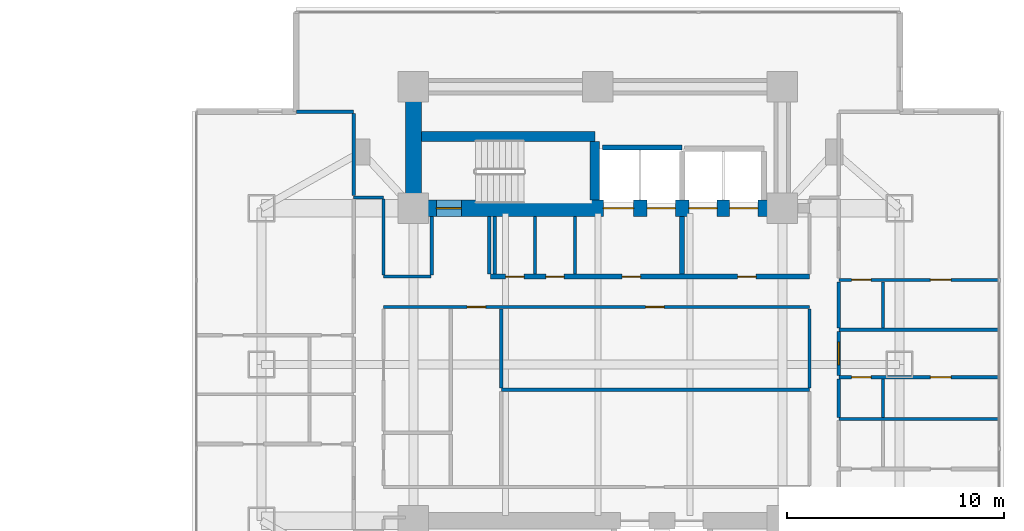
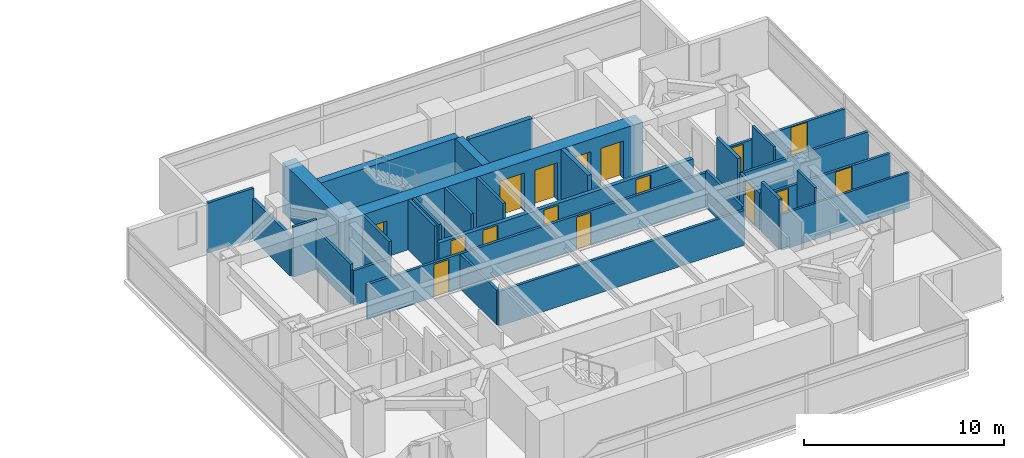
# One storey, part 18 of 25: 30 walls, 16 doors, 16 openings.
"""IFC4 building model written with IfcOpenShell, lengths in metres."""

from ifc_helpers import new_model, si_unit, direction, frame, frame_2d, origin, place, context, subcontext, project, spatial, rectangle, extrude, material, layer, layer_set, type_object, element, fill, save


model = new_model("IFC4")

# Units and contexts
model_context = context("Model", 3, precision=1e-05, world=origin(), true_north=direction((0.0, 1.0)))
body_context = subcontext(model_context, "Body", "Model", "MODEL_VIEW")
ifc_project = project(units=[si_unit("LENGTHUNIT", "METRE"), si_unit("AREAUNIT", "SQUARE_METRE"), si_unit("VOLUMEUNIT", "CUBIC_METRE"), si_unit("PLANEANGLEUNIT", "RADIAN"), si_unit("MASSUNIT", "GRAM", prefix="KILO")], contexts=[model_context])

# Site, building, storey
site_placement = place(None, origin())
site = spatial("IfcSite", under=ifc_project, at=site_placement, CompositionType="ELEMENT")
building_placement = place(site_placement, origin())
building = spatial("IfcBuilding", under=site, at=building_placement, Name="Mirazonda Arch Towers", CompositionType="ELEMENT")
storey_placement = place(building_placement, frame((0.0, 0.0, 32.300048828125)))
storey = spatial("IfcBuildingStorey", under=building, at=storey_placement, Name="L08", CompositionType="ELEMENT", Elevation=32.300048828125)

# Walls
ifc_material_1 = material(Name="Concrete C50/60", Category="concrete")
ifc_layer_1 = layer(ifc_material_1, 0.449951171875, Name="WALL-CORE-450")
ifc_layer_set_1 = layer_set([ifc_layer_1], Name="Concrete C50/60")
wall_type_1 = type_object("IfcWallType", Name="WALL-CORE-450", PredefinedType="SHEAR", material=ifc_layer_set_1)
wall_1_placement = place(storey_placement, frame((68.3701171875, 38.5, 0.0), z_axis=(0.0, 0.0, 1.0), x_axis=(1.0, 0.0, 0.0)))
element("IfcWall", 1, at=wall_1_placement, inside=storey, type_object=wall_type_1, Name="L08 Stair Core Shear Wall 054", PredefinedType="SHEAR", context=body_context, shape_type="SweptSolid", body=[
    extrude(rectangle(XDim=7.989990234375, YDim=0.449951171875, at=frame_2d((3.9951171875, 0.0))), origin(), (0.0, 0.0, 1.0), 3.06005859375),
])
wall_2_placement = place(storey_placement, frame((76.360107421875, 35.570068359375, 0.0), z_axis=(0.0, 0.0, 1.0), x_axis=(0.0, 1.0, 0.0)))
element("IfcWall", 2, at=wall_2_placement, inside=storey, type_object=wall_type_1, Name="L08 Stair Core Shear Wall 139", PredefinedType="SHEAR", context=body_context, shape_type="SweptSolid", body=[
    extrude(rectangle(XDim=2.69482421875, YDim=0.449951171875, at=frame_2d((1.347412109375, 0.0))), origin(), (0.0, 0.0, 1.0), 3.06005859375),
])
ifc_material_2 = material(Name="Concrete C60/75", Category="concrete")
ifc_layer_2 = layer(ifc_material_2, 0.75, Name="WALL-CORE-750")
ifc_layer_set_2 = layer_set([ifc_layer_2], Name="Concrete C60/75")
wall_type_2 = type_object("IfcWallType", Name="WALL-CORE-750", PredefinedType="SHEAR", material=ifc_layer_set_2)
wall_3_placement = place(storey_placement, frame((68.0, 35.199951171875, 0.0), z_axis=(0.0, 0.0, 1.0), x_axis=(0.0, 1.0, 0.0)))
element("IfcWall", 3, at=wall_3_placement, inside=storey, type_object=wall_type_2, Name="L08 T2N-W Core Shear Wall", PredefinedType="SHEAR", context=body_context, shape_type="SweptSolid", body=[
    extrude(rectangle(XDim=5.60009765625, YDim=0.75, at=frame_2d((2.800048828125, 0.0))), origin(), (0.0, 0.0, 1.0), 3.06005859375),
])

# Wall, openings, doors
wall_4_placement = place(storey_placement, frame((68.0, 35.199951171875, 0.0), z_axis=(0.0, 0.0, 1.0), x_axis=(1.0, 0.0, 0.0)))
wall_4 = element("IfcWall", 4, at=wall_4_placement, inside=storey, type_object=wall_type_2, Name="L08 T2N-S Core Shear Wall", PredefinedType="SHEAR", context=body_context, shape_type="SweptSolid", body=[
    extrude(rectangle(XDim=17.0, YDim=0.75, at=frame_2d((8.5, 0.0))), origin(), (0.0, 0.0, 1.0), 3.06005859375),
])
opening_1_placement = place(wall_4_placement, frame((1.06005859375, 0.0, 0.0)))
opening_1 = element("IfcOpeningElement", 5, at=opening_1_placement, cuts=wall_4, Name="Opening DR-135", PredefinedType="OPENING", context=body_context, shape_type="SweptSolid", body=[
    extrude(rectangle(XDim=1.14990234375, YDim=2.199951171875, at=frame_2d((0.574951171875, 1.10009765625))), frame((0.0, 0.385009765625, 0.0), z_axis=(0.0, -1.0, 0.0), x_axis=(1.0, 0.0, 0.0)), (0.0, 0.0, 1.0), 0.77001953125),
])
opening_2_placement = place(wall_4_placement, frame((8.75, 0.0, 0.0)))
opening_2 = element("IfcOpeningElement", 6, at=opening_2_placement, cuts=wall_4, Name="Opening LD-112", PredefinedType="OPENING", context=body_context, shape_type="SweptSolid", body=[
    extrude(rectangle(XDim=1.39990234375, YDim=2.35009765625, at=frame_2d((0.699951171875, 1.175048828125))), frame((0.0, 0.385009765625, 0.0), z_axis=(0.0, -1.0, 0.0), x_axis=(1.0, 0.0, 0.0)), (0.0, 0.0, 1.0), 0.77001953125),
])
opening_3_placement = place(wall_4_placement, frame((10.77001953125, 0.0, 0.0)))
opening_3 = element("IfcOpeningElement", 7, at=opening_3_placement, cuts=wall_4, Name="Opening LD-111", PredefinedType="OPENING", context=body_context, shape_type="SweptSolid", body=[
    extrude(rectangle(XDim=1.300048828125, YDim=2.300048828125, at=frame_2d((0.64990234375, 1.14990234375))), frame((0.0, 0.385009765625, 0.0), z_axis=(0.0, -1.0, 0.0), x_axis=(1.0, 0.0, 0.0)), (0.0, 0.0, 1.0), 0.77001953125),
])
opening_4_placement = place(wall_4_placement, frame((12.68994140625, 0.0, 0.0)))
opening_4 = element("IfcOpeningElement", 8, at=opening_4_placement, cuts=wall_4, Name="Opening LD-111", PredefinedType="OPENING", context=body_context, shape_type="SweptSolid", body=[
    extrude(rectangle(XDim=1.300048828125, YDim=2.300048828125, at=frame_2d((0.64990234375, 1.14990234375))), frame((0.0, 0.385009765625, 0.0), z_axis=(0.0, -1.0, 0.0), x_axis=(1.0, 0.0, 0.0)), (0.0, 0.0, 1.0), 0.77001953125),
])
opening_5_placement = place(wall_4_placement, frame((14.570068359375, 0.0, 0.0)))
opening_5 = element("IfcOpeningElement", 9, at=opening_5_placement, cuts=wall_4, Name="Opening LD-111", PredefinedType="OPENING", context=body_context, shape_type="SweptSolid", body=[
    extrude(rectangle(XDim=1.300048828125, YDim=2.300048828125, at=frame_2d((0.64990234375, 1.14990234375))), frame((0.0, 0.385009765625, 0.0), z_axis=(0.0, -1.0, 0.0), x_axis=(1.0, 0.0, 0.0)), (0.0, 0.0, 1.0), 0.77001953125),
])
ifc_material_3 = material(Name="Architectural Brushed Steel S355", Category="steel")
door_type_1 = type_object("IfcDoorType", Name="DOOR-LIFT-FFL-1400", OperationType="NOTDEFINED", PredefinedType="DOOR", material=ifc_material_3)
door_1_placement = place(opening_2_placement, origin())
door_1 = element("IfcDoor", 10, at=door_1_placement, inside=storey, type_object=door_type_1, Name="L08 Lift Landing Sliding Door FFL-T2", OperationType="DOUBLE_DOOR_SLIDING", OverallHeight=2.35009765625, OverallWidth=1.39990234375, PredefinedType="DOOR", context=body_context, shape_type="SweptSolid", body=[
    extrude(rectangle(XDim=1.39990234375, YDim=2.35009765625, at=frame_2d((0.699951171875, 1.175048828125))), frame((0.0, 0.02490234375, 0.0), z_axis=(0.0, -1.0, 0.0), x_axis=(1.0, 0.0, 0.0)), (0.0, 0.0, 1.0), 0.050048828125),
])
fill(opening_2, door_1)
door_type_2 = type_object("IfcDoorType", Name="DOOR-LIFT-LAND-1300", OperationType="NOTDEFINED", PredefinedType="DOOR", material=ifc_material_3)
door_2_placement = place(opening_3_placement, origin())
door_2 = element("IfcDoor", 11, at=door_2_placement, inside=storey, type_object=door_type_2, Name="L08 Lift Landing Sliding Door SVL-T2", OperationType="DOUBLE_DOOR_SLIDING", OverallHeight=2.300048828125, OverallWidth=1.300048828125, PredefinedType="DOOR", context=body_context, shape_type="SweptSolid", body=[
    extrude(rectangle(XDim=1.300048828125, YDim=2.300048828125, at=frame_2d((0.64990234375, 1.14990234375))), frame((0.0, 0.02490234375, 0.0), z_axis=(0.0, -1.0, 0.0), x_axis=(1.0, 0.0, 0.0)), (0.0, 0.0, 1.0), 0.050048828125),
])
fill(opening_3, door_2)
door_3_placement = place(opening_4_placement, origin())
door_3 = element("IfcDoor", 12, at=door_3_placement, inside=storey, type_object=door_type_2, Name="L08 Lift Landing Sliding Door PL-T2L1", OperationType="DOUBLE_DOOR_SLIDING", OverallHeight=2.300048828125, OverallWidth=1.300048828125, PredefinedType="DOOR", context=body_context, shape_type="SweptSolid", body=[
    extrude(rectangle(XDim=1.300048828125, YDim=2.300048828125, at=frame_2d((0.64990234375, 1.14990234375))), frame((0.0, 0.02490234375, 0.0), z_axis=(0.0, -1.0, 0.0), x_axis=(1.0, 0.0, 0.0)), (0.0, 0.0, 1.0), 0.050048828125),
])
fill(opening_4, door_3)
door_4_placement = place(opening_5_placement, origin())
door_4 = element("IfcDoor", 13, at=door_4_placement, inside=storey, type_object=door_type_2, Name="L08 Lift Landing Sliding Door PL-T2L2", OperationType="DOUBLE_DOOR_SLIDING", OverallHeight=2.300048828125, OverallWidth=1.300048828125, PredefinedType="DOOR", context=body_context, shape_type="SweptSolid", body=[
    extrude(rectangle(XDim=1.300048828125, YDim=2.300048828125, at=frame_2d((0.64990234375, 1.14990234375))), frame((0.0, 0.02490234375, 0.0), z_axis=(0.0, -1.0, 0.0), x_axis=(1.0, 0.0, 0.0)), (0.0, 0.0, 1.0), 0.050048828125),
])
fill(opening_5, door_4)
door_type_3 = type_object("IfcDoorType", Name="DOOR-STAIR-FD90-1150", OperationType="NOTDEFINED", PredefinedType="DOOR", material=ifc_material_3)
door_5_placement = place(opening_1_placement, origin())
door_5 = element("IfcDoor", 14, at=door_5_placement, inside=storey, type_object=door_type_3, Name="L08 East Protected Stair North Door", OperationType="SINGLE_SWING_LEFT", OverallHeight=2.199951171875, OverallWidth=1.14990234375, PredefinedType="DOOR", context=body_context, shape_type="SweptSolid", body=[
    extrude(rectangle(XDim=1.14990234375, YDim=2.199951171875, at=frame_2d((0.574951171875, 1.10009765625))), frame((0.0, 0.02490234375, 0.0), z_axis=(0.0, -1.0, 0.0), x_axis=(1.0, 0.0, 0.0)), (0.0, 0.0, 1.0), 0.050048828125),
])
fill(opening_1, door_5)

ifc_material_4 = material(Name="Concrete C40/50", Category="concrete")
ifc_layer_3 = layer(ifc_material_4, 0.219970703125, Name="WALL-FFL-220")
ifc_layer_set_3 = layer_set([ifc_layer_3], Name="Concrete C40/50")
wall_type_3 = type_object("IfcWallType", Name="WALL-FFL-220", PredefinedType="SOLIDWALL", material=ifc_layer_set_3)
wall_5_placement = place(storey_placement, frame((71.550048828125, 32.050048828125, 0.0), z_axis=(0.0, 0.0, 1.0), x_axis=(1.0, 0.0, 0.0)))
wall_5 = element("IfcWall", 15, at=wall_5_placement, inside=storey, type_object=wall_type_3, Name="L08 Interior Partition 043", PredefinedType="SOLIDWALL", context=body_context, shape_type="SweptSolid", body=[
    extrude(rectangle(XDim=14.699951171875, YDim=0.219970703125, at=frame_2d((7.35009765625, 0.0))), origin(), (0.0, 0.0, 1.0), 2.125),
])
opening_6_placement = place(wall_5_placement, frame((11.389892578125, 0.0, 0.0)))
opening_6 = element("IfcOpeningElement", 16, at=opening_6_placement, cuts=wall_5, Name="Opening DR-128", PredefinedType="OPENING", context=body_context, shape_type="SweptSolid", body=[
    extrude(rectangle(XDim=0.85009765625, YDim=2.010009765625, at=frame_2d((0.425048828125, 1.0048828125))), frame((0.0, 0.119873046875, 0.0), z_axis=(0.0, -1.0, 0.0), x_axis=(1.0, 0.0, 0.0)), (0.0, 0.0, 1.0), 0.239990234375),
])
opening_7_placement = place(wall_5_placement, frame((6.06494140625, 0.0, 0.0)))
opening_7 = element("IfcOpeningElement", 17, at=opening_7_placement, cuts=wall_5, Name="Opening DR-128", PredefinedType="OPENING", context=body_context, shape_type="SweptSolid", body=[
    extrude(rectangle(XDim=0.85009765625, YDim=2.010009765625, at=frame_2d((0.425048828125, 1.0048828125))), frame((0.0, 0.119873046875, 0.0), z_axis=(0.0, -1.0, 0.0), x_axis=(1.0, 0.0, 0.0)), (0.0, 0.0, 1.0), 0.239990234375),
])
opening_8_placement = place(wall_5_placement, frame((0.699951171875, 0.0, 0.0)))
opening_8 = element("IfcOpeningElement", 18, at=opening_8_placement, cuts=wall_5, Name="Opening DR-128", PredefinedType="OPENING", context=body_context, shape_type="SweptSolid", body=[
    extrude(rectangle(XDim=0.85009765625, YDim=2.010009765625, at=frame_2d((0.425048828125, 1.0048828125))), frame((0.0, 0.119873046875, 0.0), z_axis=(0.0, -1.0, 0.0), x_axis=(1.0, 0.0, 0.0)), (0.0, 0.0, 1.0), 0.239990234375),
])
opening_9_placement = place(wall_5_placement, frame((2.550048828125, 0.0, 0.0)))
opening_9 = element("IfcOpeningElement", 19, at=opening_9_placement, cuts=wall_5, Name="Opening DR-128", PredefinedType="OPENING", context=body_context, shape_type="SweptSolid", body=[
    extrude(rectangle(XDim=0.85009765625, YDim=2.010009765625, at=frame_2d((0.425048828125, 1.0048828125))), frame((0.0, 0.119873046875, 0.0), z_axis=(0.0, -1.0, 0.0), x_axis=(1.0, 0.0, 0.0)), (0.0, 0.0, 1.0), 0.239990234375),
])
door_type_4 = type_object("IfcDoorType", Name="DOOR-RISER-FD60-850", OperationType="NOTDEFINED", PredefinedType="DOOR", material=ifc_material_3)
door_6_placement = place(opening_6_placement, origin())
door_6 = element("IfcDoor", 20, at=door_6_placement, inside=storey, type_object=door_type_4, Name="L08 East Passenger Lift Lobby Door", OperationType="SINGLE_SWING_RIGHT", OverallHeight=2.010009765625, OverallWidth=0.85009765625, PredefinedType="DOOR", context=body_context, shape_type="SweptSolid", body=[
    extrude(rectangle(XDim=0.85009765625, YDim=2.010009765625, at=frame_2d((0.425048828125, 1.0048828125))), frame((0.0, 0.02490234375, 0.0), z_axis=(0.0, -1.0, 0.0), x_axis=(1.0, 0.0, 0.0)), (0.0, 0.0, 1.0), 0.050048828125),
])
fill(opening_6, door_6)
door_7_placement = place(opening_7_placement, origin())
door_7 = element("IfcDoor", 21, at=door_7_placement, inside=storey, type_object=door_type_4, Name="L08 East Firefighting Lift Lobby Door", OperationType="SINGLE_SWING_RIGHT", OverallHeight=2.010009765625, OverallWidth=0.85009765625, PredefinedType="DOOR", context=body_context, shape_type="SweptSolid", body=[
    extrude(rectangle(XDim=0.85009765625, YDim=2.010009765625, at=frame_2d((0.425048828125, 1.0048828125))), frame((0.0, 0.02490234375, 0.0), z_axis=(0.0, -1.0, 0.0), x_axis=(1.0, 0.0, 0.0)), (0.0, 0.0, 1.0), 0.050048828125),
])
fill(opening_7, door_7)
door_8_placement = place(opening_8_placement, origin())
door_8 = element("IfcDoor", 22, at=door_8_placement, inside=storey, type_object=door_type_4, Name="L08 Tower 2 Electrical Room Door", OperationType="SINGLE_SWING_LEFT", OverallHeight=2.010009765625, OverallWidth=0.85009765625, PredefinedType="DOOR", context=body_context, shape_type="SweptSolid", body=[
    extrude(rectangle(XDim=0.85009765625, YDim=2.010009765625, at=frame_2d((0.425048828125, 1.0048828125))), frame((0.0, 0.02490234375, 0.0), z_axis=(0.0, -1.0, 0.0), x_axis=(1.0, 0.0, 0.0)), (0.0, 0.0, 1.0), 0.050048828125),
])
fill(opening_8, door_8)
door_9_placement = place(opening_9_placement, origin())
door_9 = element("IfcDoor", 23, at=door_9_placement, inside=storey, type_object=door_type_4, Name="L08 Tower 2 Cleaners Store Door", OperationType="SINGLE_SWING_RIGHT", OverallHeight=2.010009765625, OverallWidth=0.85009765625, PredefinedType="DOOR", context=body_context, shape_type="SweptSolid", body=[
    extrude(rectangle(XDim=0.85009765625, YDim=2.010009765625, at=frame_2d((0.425048828125, 1.0048828125))), frame((0.0, 0.02490234375, 0.0), z_axis=(0.0, -1.0, 0.0), x_axis=(1.0, 0.0, 0.0)), (0.0, 0.0, 1.0), 0.050048828125),
])
fill(opening_9, door_9)

# Walls
wall_6_placement = place(storey_placement, frame((80.3798828125, 32.169921875, 0.0), z_axis=(0.0, 0.0, 1.0), x_axis=(0.0, 1.0, 0.0)))
element("IfcWall", 24, at=wall_6_placement, inside=storey, type_object=wall_type_3, Name="L08 Interior Partition 141", PredefinedType="SOLIDWALL", context=body_context, shape_type="SweptSolid", body=[
    extrude(rectangle(XDim=2.66015625, YDim=0.219970703125, at=frame_2d((1.330078125, 0.0))), origin(), (0.0, 0.0, 1.0), 3.06005859375),
])
ifc_material_5 = material(Name="Fire-Rated Gypsum Stud Partition")
ifc_layer_4 = layer(ifc_material_5, 0.14990234375, Name="WALL-PART-CORR-150")
ifc_layer_set_4 = layer_set([ifc_layer_4], Name="Fire-Rated Gypsum Stud Partition")
wall_type_4 = type_object("IfcWallType", Name="WALL-PART-CORR-150", PredefinedType="PARTITIONING", material=ifc_layer_set_4)
wall_7_placement = place(storey_placement, frame((72.050048828125, 26.83203125, 0.0), z_axis=(0.0, 0.0, 1.0), x_axis=(1.0, 0.0, 0.0)))
element("IfcWall", 25, at=wall_7_placement, inside=storey, type_object=wall_type_4, Name="L08 Interior Partition 031", PredefinedType="PARTITIONING", context=body_context, shape_type="SweptSolid", body=[
    extrude(rectangle(XDim=14.199951171875, YDim=0.14990234375, at=frame_2d((7.10009765625, 0.0))), origin(), (0.0, 0.0, 1.0), 2.125),
])

# Wall, openings, doors
wall_8_placement = place(storey_placement, frame((87.60009765625, 27.412109375, 0.0), z_axis=(0.0, 0.0, 1.0), x_axis=(1.0, 0.0, 0.0)))
wall_8 = element("IfcWall", 26, at=wall_8_placement, inside=storey, type_object=wall_type_4, Name="L08 Interior Partition 033", PredefinedType="PARTITIONING", context=body_context, shape_type="SweptSolid", body=[
    extrude(rectangle(XDim=7.393798828125, YDim=0.14990234375, at=frame_2d((3.69677734375, 0.0))), origin(), (0.0, 0.0, 1.0), 2.196044921875),
])
opening_10_placement = place(wall_8_placement, frame((4.221923828125, 0.0, 0.0)))
opening_10 = element("IfcOpeningElement", 27, at=opening_10_placement, cuts=wall_8, Name="Opening DR-104", PredefinedType="OPENING", context=body_context, shape_type="SweptSolid", body=[
    extrude(rectangle(XDim=0.949951171875, YDim=2.14990234375, at=frame_2d((0.47509765625, 1.074951171875))), frame((0.0, 0.0849609375, 0.0), z_axis=(0.0, -1.0, 0.0), x_axis=(1.0, 0.0, 0.0)), (0.0, 0.0, 1.0), 0.169921875),
])
opening_11_placement = place(wall_8_placement, frame((0.590087890625, 0.0, 0.0)))
opening_11 = element("IfcOpeningElement", 28, at=opening_11_placement, cuts=wall_8, Name="Opening DR-120", PredefinedType="OPENING", context=body_context, shape_type="SweptSolid", body=[
    extrude(rectangle(XDim=0.89990234375, YDim=2.10009765625, at=frame_2d((0.449951171875, 1.050048828125))), frame((0.0, 0.0849609375, 0.0), z_axis=(0.0, -1.0, 0.0), x_axis=(1.0, 0.0, 0.0)), (0.0, 0.0, 1.0), 0.169921875),
])
door_type_5 = type_object("IfcDoorType", Name="DOOR-ROOM-950", OperationType="NOTDEFINED", PredefinedType="DOOR", material=ifc_material_3)
door_10_placement = place(opening_10_placement, origin())
door_10 = element("IfcDoor", 29, at=door_10_placement, inside=storey, type_object=door_type_5, Name="L08 Guestroom Study 2 Door", OperationType="SINGLE_SWING_LEFT", OverallHeight=2.14990234375, OverallWidth=0.949951171875, PredefinedType="DOOR", context=body_context, shape_type="SweptSolid", body=[
    extrude(rectangle(XDim=0.949951171875, YDim=2.14990234375, at=frame_2d((0.47509765625, 1.074951171875))), frame((0.0, 0.02490234375, 0.0), z_axis=(0.0, -1.0, 0.0), x_axis=(1.0, 0.0, 0.0)), (0.0, 0.0, 1.0), 0.050048828125),
])
fill(opening_10, door_10)
door_type_6 = type_object("IfcDoorType", Name="DOOR-WC-900", OperationType="NOTDEFINED", PredefinedType="DOOR", material=ifc_material_3)
door_11_placement = place(opening_11_placement, origin())
door_11 = element("IfcDoor", 30, at=door_11_placement, inside=storey, type_object=door_type_6, Name="L08 En-Suite Bathroom 2 Door", OperationType="SINGLE_SWING_RIGHT", OverallHeight=2.10009765625, OverallWidth=0.89990234375, PredefinedType="DOOR", context=body_context, shape_type="SweptSolid", body=[
    extrude(rectangle(XDim=0.89990234375, YDim=2.10009765625, at=frame_2d((0.449951171875, 1.050048828125))), frame((0.0, 0.02490234375, 0.0), z_axis=(0.0, -1.0, 0.0), x_axis=(1.0, 0.0, 0.0)), (0.0, 0.0, 1.0), 0.050048828125),
])
fill(opening_11, door_11)

# Wall
wall_9_placement = place(storey_placement, frame((87.60009765625, 29.595947265625, 0.0), z_axis=(0.0, 0.0, 1.0), x_axis=(1.0, 0.0, 0.0)))
element("IfcWall", 31, at=wall_9_placement, inside=storey, type_object=wall_type_4, Name="L08 Interior Partition 037", PredefinedType="PARTITIONING", context=body_context, shape_type="SweptSolid", body=[
    extrude(rectangle(XDim=7.393798828125, YDim=0.14990234375, at=frame_2d((3.69677734375, 0.0))), origin(), (0.0, 0.0, 1.0), 2.196044921875),
])

# Wall, openings, doors
wall_10_placement = place(storey_placement, frame((66.6201171875, 30.64990234375, 0.0), z_axis=(0.0, 0.0, 1.0), x_axis=(1.0, 0.0, 0.0)))
wall_10 = element("IfcWall", 32, at=wall_10_placement, inside=storey, type_object=wall_type_4, Name="L08 Interior Partition 039", PredefinedType="PARTITIONING", context=body_context, shape_type="SweptSolid", body=[
    extrude(rectangle(XDim=19.6298828125, YDim=0.14990234375, at=frame_2d((9.81494140625, 0.0))), origin(), (0.0, 0.0, 1.0), 2.125),
])
opening_12_placement = place(wall_10_placement, frame((3.85498046875, 0.0, 0.0)))
opening_12 = element("IfcOpeningElement", 33, at=opening_12_placement, cuts=wall_10, Name="Opening DR-128", PredefinedType="OPENING", context=body_context, shape_type="SweptSolid", body=[
    extrude(rectangle(XDim=0.85009765625, YDim=2.010009765625, at=frame_2d((0.425048828125, 1.0048828125))), frame((0.0, 0.0849609375, 0.0), z_axis=(0.0, -1.0, 0.0), x_axis=(1.0, 0.0, 0.0)), (0.0, 0.0, 1.0), 0.169921875),
])
opening_13_placement = place(wall_10_placement, frame((12.0849609375, 0.0, 0.0)))
opening_13 = element("IfcOpeningElement", 34, at=opening_13_placement, cuts=wall_10, Name="Opening DR-128", PredefinedType="OPENING", context=body_context, shape_type="SweptSolid", body=[
    extrude(rectangle(XDim=0.85009765625, YDim=2.010009765625, at=frame_2d((0.425048828125, 1.0048828125))), frame((0.0, 0.0849609375, 0.0), z_axis=(0.0, -1.0, 0.0), x_axis=(1.0, 0.0, 0.0)), (0.0, 0.0, 1.0), 0.169921875),
])
door_12_placement = place(opening_12_placement, origin())
door_12 = element("IfcDoor", 35, at=door_12_placement, inside=storey, type_object=door_type_4, Name="L08 L08 East Courtyard Study Door", OperationType="SINGLE_SWING_LEFT", OverallHeight=2.010009765625, OverallWidth=0.85009765625, PredefinedType="DOOR", context=body_context, shape_type="SweptSolid", body=[
    extrude(rectangle(XDim=0.85009765625, YDim=2.010009765625, at=frame_2d((0.425048828125, 1.0048828125))), frame((0.0, 0.02490234375, 0.0), z_axis=(0.0, -1.0, 0.0), x_axis=(1.0, 0.0, 0.0)), (0.0, 0.0, 1.0), 0.050048828125),
])
fill(opening_12, door_12)
door_13_placement = place(opening_13_placement, origin())
door_13 = element("IfcDoor", 36, at=door_13_placement, inside=storey, type_object=door_type_4, Name="L08 Concierge Salon Door", OperationType="SINGLE_SWING_LEFT", OverallHeight=2.010009765625, OverallWidth=0.85009765625, PredefinedType="DOOR", context=body_context, shape_type="SweptSolid", body=[
    extrude(rectangle(XDim=0.85009765625, YDim=2.010009765625, at=frame_2d((0.425048828125, 1.0048828125))), frame((0.0, 0.02490234375, 0.0), z_axis=(0.0, -1.0, 0.0), x_axis=(1.0, 0.0, 0.0)), (0.0, 0.0, 1.0), 0.050048828125),
])
fill(opening_13, door_13)

wall_11_placement = place(storey_placement, frame((87.60009765625, 31.89599609375, 0.0), z_axis=(0.0, 0.0, 1.0), x_axis=(1.0, 0.0, 0.0)))
wall_11 = element("IfcWall", 37, at=wall_11_placement, inside=storey, type_object=wall_type_4, Name="L08 Interior Partition 041", PredefinedType="PARTITIONING", context=body_context, shape_type="SweptSolid", body=[
    extrude(rectangle(XDim=7.393798828125, YDim=0.14990234375, at=frame_2d((3.69677734375, 0.0))), origin(), (0.0, 0.0, 1.0), 2.196044921875),
])
opening_14_placement = place(wall_11_placement, frame((4.221923828125, 0.0, 0.0)))
opening_14 = element("IfcOpeningElement", 38, at=opening_14_placement, cuts=wall_11, Name="Opening DR-104", PredefinedType="OPENING", context=body_context, shape_type="SweptSolid", body=[
    extrude(rectangle(XDim=0.949951171875, YDim=2.14990234375, at=frame_2d((0.47509765625, 1.074951171875))), frame((0.0, 0.0849609375, 0.0), z_axis=(0.0, -1.0, 0.0), x_axis=(1.0, 0.0, 0.0)), (0.0, 0.0, 1.0), 0.169921875),
])
opening_15_placement = place(wall_11_placement, frame((0.590087890625, 0.0, 0.0)))
opening_15 = element("IfcOpeningElement", 39, at=opening_15_placement, cuts=wall_11, Name="Opening DR-120", PredefinedType="OPENING", context=body_context, shape_type="SweptSolid", body=[
    extrude(rectangle(XDim=0.89990234375, YDim=2.10009765625, at=frame_2d((0.449951171875, 1.050048828125))), frame((0.0, 0.0849609375, 0.0), z_axis=(0.0, -1.0, 0.0), x_axis=(1.0, 0.0, 0.0)), (0.0, 0.0, 1.0), 0.169921875),
])
door_14_placement = place(opening_14_placement, origin())
door_14 = element("IfcDoor", 40, at=door_14_placement, inside=storey, type_object=door_type_5, Name="L08 Guestroom Study 3 Door", OperationType="SINGLE_SWING_RIGHT", OverallHeight=2.14990234375, OverallWidth=0.949951171875, PredefinedType="DOOR", context=body_context, shape_type="SweptSolid", body=[
    extrude(rectangle(XDim=0.949951171875, YDim=2.14990234375, at=frame_2d((0.47509765625, 1.074951171875))), frame((0.0, 0.02490234375, 0.0), z_axis=(0.0, -1.0, 0.0), x_axis=(1.0, 0.0, 0.0)), (0.0, 0.0, 1.0), 0.050048828125),
])
fill(opening_14, door_14)
door_15_placement = place(opening_15_placement, origin())
door_15 = element("IfcDoor", 41, at=door_15_placement, inside=storey, type_object=door_type_6, Name="L08 En-Suite Bathroom 3 Door", OperationType="SINGLE_SWING_LEFT", OverallHeight=2.10009765625, OverallWidth=0.89990234375, PredefinedType="DOOR", context=body_context, shape_type="SweptSolid", body=[
    extrude(rectangle(XDim=0.89990234375, YDim=2.10009765625, at=frame_2d((0.449951171875, 1.050048828125))), frame((0.0, 0.02490234375, 0.0), z_axis=(0.0, -1.0, 0.0), x_axis=(1.0, 0.0, 0.0)), (0.0, 0.0, 1.0), 0.050048828125),
])
fill(opening_15, door_15)

# Walls
wall_12_placement = place(storey_placement, frame((66.6201171875, 32.050048828125, 0.0), z_axis=(0.0, 0.0, 1.0), x_axis=(1.0, 0.0, 0.0)))
element("IfcWall", 42, at=wall_12_placement, inside=storey, type_object=wall_type_4, Name="L08 Interior Partition 042", PredefinedType="PARTITIONING", context=body_context, shape_type="SweptSolid", body=[
    extrude(rectangle(XDim=2.179931640625, YDim=0.14990234375, at=frame_2d((1.08984375, 0.0))), origin(), (0.0, 0.0, 1.0), 2.125),
])
wall_13_placement = place(storey_placement, frame((65.25, 35.699951171875, 0.0), z_axis=(0.0, 0.0, 1.0), x_axis=(1.0, 0.0, 0.0)))
element("IfcWall", 43, at=wall_13_placement, inside=storey, type_object=wall_type_4, Name="L08 Interior Partition 050", PredefinedType="PARTITIONING", context=body_context, shape_type="SweptSolid", body=[
    extrude(rectangle(XDim=1.3701171875, YDim=0.14990234375, at=frame_2d((0.68505859375, 0.0))), origin(), (0.0, 0.0, 1.0), 3.06005859375),
])
wall_14_placement = place(storey_placement, frame((62.60595703125, 39.64990234375, 0.0), z_axis=(0.0, 0.0, 1.0), x_axis=(1.0, 0.0, 0.0)))
element("IfcWall", 44, at=wall_14_placement, inside=storey, type_object=wall_type_4, Name="L08 Interior Partition 055", PredefinedType="PARTITIONING", context=body_context, shape_type="SweptSolid", body=[
    extrude(rectangle(XDim=2.64404296875, YDim=0.14990234375, at=frame_2d((1.322021484375, 0.0))), origin(), (0.0, 0.0, 1.0), 3.06005859375),
])
wall_15_placement = place(storey_placement, frame((66.6201171875, 32.135009765625, 0.0), z_axis=(0.0, 0.0, 1.0), x_axis=(0.0, 1.0, 0.0)))
element("IfcWall", 45, at=wall_15_placement, inside=storey, type_object=wall_type_4, Name="L08 Interior Partition 128", PredefinedType="PARTITIONING", context=body_context, shape_type="SweptSolid", body=[
    extrude(rectangle(XDim=3.47998046875, YDim=0.14990234375, at=frame_2d((1.739990234375, 0.0))), origin(), (0.0, 0.0, 1.0), 2.451904296875),
])
wall_16_placement = place(storey_placement, frame((68.85009765625, 32.135009765625, 0.0), z_axis=(0.0, 0.0, 1.0), x_axis=(0.0, 1.0, 0.0)))
element("IfcWall", 46, at=wall_16_placement, inside=storey, type_object=wall_type_4, Name="L08 Interior Partition 129", PredefinedType="PARTITIONING", context=body_context, shape_type="SweptSolid", body=[
    extrude(rectangle(XDim=2.695068359375, YDim=0.14990234375, at=frame_2d((1.34765625, 0.0))), origin(), (0.0, 0.0, 1.0), 3.06005859375),
])
for number, where, z_axis, x_axis, name in (
    (47, (71.5, 32.169921875, 0.0), (0.0, 0.0, 1.0), (0.0, 1.0, 0.0), "L08 Interior Partition 132"),
    (48, (71.75, 32.169921875, 0.0), (0.0, 0.0, 1.0), (0.0, 1.0, 0.0), "L08 Interior Partition 133"),
):
    element("IfcWall", number, at=place(storey_placement, frame(where, z_axis=z_axis, x_axis=x_axis)), inside=storey, type_object=wall_type_4, Name=name, PredefinedType="PARTITIONING", context=body_context, shape_type="SweptSolid", body=[
        extrude(rectangle(XDim=2.66015625, YDim=0.14990234375, at=frame_2d((1.330078125, 0.0))), origin(), (0.0, 0.0, 1.0), 3.06005859375),
    ])
wall_17_placement = place(storey_placement, frame((72.050048828125, 26.9169921875, 0.0), z_axis=(0.0, 0.0, 1.0), x_axis=(0.0, 1.0, 0.0)))
element("IfcWall", 49, at=wall_17_placement, inside=storey, type_object=wall_type_4, Name="L08 Interior Partition 135", PredefinedType="PARTITIONING", context=body_context, shape_type="SweptSolid", body=[
    extrude(rectangle(XDim=3.64794921875, YDim=0.14990234375, at=frame_2d((1.823974609375, 0.0))), origin(), (0.0, 0.0, 1.0), 2.125),
])
for number, where, z_axis, x_axis, name in (
    (50, (73.60009765625, 32.169921875, 0.0), (0.0, 0.0, 1.0), (0.0, 1.0, 0.0), "L08 Interior Partition 136"),
    (51, (75.449951171875, 32.169921875, 0.0), (0.0, 0.0, 1.0), (0.0, 1.0, 0.0), "L08 Interior Partition 137"),
):
    element("IfcWall", number, at=place(storey_placement, frame(where, z_axis=z_axis, x_axis=x_axis)), inside=storey, type_object=wall_type_4, Name=name, PredefinedType="PARTITIONING", context=body_context, shape_type="SweptSolid", body=[
        extrude(rectangle(XDim=2.66015625, YDim=0.14990234375, at=frame_2d((1.330078125, 0.0))), origin(), (0.0, 0.0, 1.0), 3.06005859375),
    ])
wall_18_placement = place(storey_placement, frame((86.25, 26.9169921875, 0.0), z_axis=(0.0, 0.0, 1.0), x_axis=(0.0, 1.0, 0.0)))
element("IfcWall", 52, at=wall_18_placement, inside=storey, type_object=wall_type_4, Name="L08 Interior Partition 147", PredefinedType="PARTITIONING", context=body_context, shape_type="SweptSolid", body=[
    extrude(rectangle(XDim=3.64794921875, YDim=0.14990234375, at=frame_2d((1.823974609375, 0.0))), origin(), (0.0, 0.0, 1.0), 2.279052734375),
])
ifc_material_6 = material(Name="Fire-Rated Gypsum Twin-Stud Assembly")
ifc_layer_5 = layer(ifc_material_6, 0.179931640625, Name="WALL-PART-DEMISE-180")
ifc_layer_set_5 = layer_set([ifc_layer_5], Name="Fire-Rated Gypsum Twin-Stud Assembly")
wall_type_5 = type_object("IfcWallType", Name="WALL-PART-DEMISE-180", PredefinedType="PARTITIONING", material=ifc_layer_set_5)
wall_19_placement = place(storey_placement, frame((65.25, 35.784912109375, 0.0), z_axis=(0.0, 0.0, 1.0), x_axis=(0.0, 1.0, 0.0)))
element("IfcWall", 53, at=wall_19_placement, inside=storey, type_object=wall_type_5, Name="L08 Interior Partition 124", PredefinedType="PARTITIONING", context=body_context, shape_type="SweptSolid", body=[
    extrude(rectangle(XDim=3.780029296875, YDim=0.179931640625, at=frame_2d((1.89013671875, 0.0))), origin(), (0.0, 0.0, 1.0), 2.43603515625),
])
wall_20_placement = place(storey_placement, frame((87.60009765625, 25.564453125, 0.0), z_axis=(0.0, 0.0, 1.0), x_axis=(0.0, 1.0, 0.0)))
element("IfcWall", 54, at=wall_20_placement, inside=storey, type_object=wall_type_5, Name="L08 Interior Partition 153", PredefinedType="PARTITIONING", context=body_context, shape_type="SweptSolid", body=[
    extrude(rectangle(XDim=1.762451171875, YDim=0.179931640625, at=frame_2d((0.88134765625, 0.0))), origin(), (0.0, 0.0, 1.0), 3.06005859375),
])

# Wall, opening, door
wall_21_placement = place(storey_placement, frame((87.60009765625, 27.4970703125, 0.0), z_axis=(0.0, 0.0, 1.0), x_axis=(0.0, 1.0, 0.0)))
wall_21 = element("IfcWall", 55, at=wall_21_placement, inside=storey, type_object=wall_type_5, Name="L08 Interior Partition 154", PredefinedType="PARTITIONING", context=body_context, shape_type="SweptSolid", body=[
    extrude(rectangle(XDim=2.013916015625, YDim=0.179931640625, at=frame_2d((1.0068359375, 0.0))), origin(), (0.0, 0.0, 1.0), 2.279052734375),
])
opening_16_placement = place(wall_21_placement, frame((0.48193359375, 0.0, 0.0)))
opening_16 = element("IfcOpeningElement", 56, at=opening_16_placement, cuts=wall_21, Name="Opening DR-121", PredefinedType="OPENING", context=body_context, shape_type="SweptSolid", body=[
    extrude(rectangle(XDim=1.050048828125, YDim=2.199951171875, at=frame_2d((0.52490234375, 1.10009765625))), frame((0.0, 0.099853515625, 0.0), z_axis=(0.0, -1.0, 0.0), x_axis=(1.0, 0.0, 0.0)), (0.0, 0.0, 1.0), 0.199951171875),
])
door_type_7 = type_object("IfcDoorType", Name="DOOR-SUITE-FD60-1050", OperationType="NOTDEFINED", PredefinedType="DOOR", material=ifc_material_3)
door_16_placement = place(opening_16_placement, origin())
door_16 = element("IfcDoor", 57, at=door_16_placement, inside=storey, type_object=door_type_7, Name="L08 Twin Hotel Guestroom 2 Door", OperationType="SINGLE_SWING_RIGHT", OverallHeight=2.199951171875, OverallWidth=1.050048828125, PredefinedType="DOOR", context=body_context, shape_type="SweptSolid", body=[
    extrude(rectangle(XDim=1.050048828125, YDim=2.199951171875, at=frame_2d((0.52490234375, 1.10009765625))), frame((0.0, 0.02490234375, 0.0), z_axis=(0.0, -1.0, 0.0), x_axis=(1.0, 0.0, 0.0)), (0.0, 0.0, 1.0), 0.050048828125),
])
fill(opening_16, door_16)

# Walls
wall_22_placement = place(storey_placement, frame((87.60009765625, 29.680908203125, 0.0), z_axis=(0.0, 0.0, 1.0), x_axis=(0.0, 1.0, 0.0)))
element("IfcWall", 58, at=wall_22_placement, inside=storey, type_object=wall_type_5, Name="L08 Interior Partition 155", PredefinedType="PARTITIONING", context=body_context, shape_type="SweptSolid", body=[
    extrude(rectangle(XDim=2.130126953125, YDim=0.179931640625, at=frame_2d((1.06494140625, 0.0))), origin(), (0.0, 0.0, 1.0), 3.06005859375),
])
ifc_material_7 = material(Name="Acoustic Fire-Rated Gypsum Partition")
ifc_layer_6 = layer(ifc_material_7, 0.125, Name="WALL-PART-UNIT-125")
ifc_layer_set_6 = layer_set([ifc_layer_6], Name="Acoustic Fire-Rated Gypsum Partition")
wall_type_6 = type_object("IfcWallType", Name="WALL-PART-UNIT-125", PredefinedType="PARTITIONING", material=ifc_layer_set_6)
wall_23_placement = place(storey_placement, frame((87.60009765625, 25.491943359375, 0.0), z_axis=(0.0, 0.0, 1.0), x_axis=(1.0, 0.0, 0.0)))
element("IfcWall", 59, at=wall_23_placement, inside=storey, type_object=wall_type_6, Name="L08 Interior Partition 029", PredefinedType="PARTITIONING", context=body_context, shape_type="SweptSolid", body=[
    extrude(rectangle(XDim=7.393798828125, YDim=0.125, at=frame_2d((3.69677734375, 0.0))), origin(), (0.0, 0.0, 1.0), 2.196044921875),
])
wall_24_placement = place(storey_placement, frame((89.639892578125, 25.564453125, 0.0), z_axis=(0.0, 0.0, 1.0), x_axis=(0.0, 1.0, 0.0)))
element("IfcWall", 60, at=wall_24_placement, inside=storey, type_object=wall_type_6, Name="L08 Interior Partition 159", PredefinedType="PARTITIONING", context=body_context, shape_type="SweptSolid", body=[
    extrude(rectangle(XDim=1.762451171875, YDim=0.125, at=frame_2d((0.88134765625, 0.0))), origin(), (0.0, 0.0, 1.0), 3.06005859375),
])
wall_25_placement = place(storey_placement, frame((89.639892578125, 29.680908203125, 0.0), z_axis=(0.0, 0.0, 1.0), x_axis=(0.0, 1.0, 0.0)))
element("IfcWall", 61, at=wall_25_placement, inside=storey, type_object=wall_type_6, Name="L08 Interior Partition 160", PredefinedType="PARTITIONING", context=body_context, shape_type="SweptSolid", body=[
    extrude(rectangle(XDim=2.130126953125, YDim=0.125, at=frame_2d((1.06494140625, 0.0))), origin(), (0.0, 0.0, 1.0), 3.06005859375),
])
ifc_layer_7 = layer(ifc_material_4, 0.25, Name="WALL-SHAFT-250")
ifc_layer_set_7 = layer_set([ifc_layer_7], Name="Concrete C40/50")
wall_type_7 = type_object("IfcWallType", Name="WALL-SHAFT-250", PredefinedType="SOLIDWALL", material=ifc_layer_set_7)
wall_26_placement = place(storey_placement, frame((76.719970703125, 38.0, 0.0), z_axis=(0.0, 0.0, 1.0), x_axis=(1.0, 0.0, 0.0)))
element("IfcWall", 62, at=wall_26_placement, inside=storey, type_object=wall_type_7, Name="L08 Interior Partition 053", PredefinedType="SOLIDWALL", context=body_context, shape_type="SweptSolid", body=[
    extrude(rectangle(XDim=3.659912109375, YDim=0.25, at=frame_2d((1.830078125, 0.0))), origin(), (0.0, 0.0, 1.0), 3.06005859375),
])

save(model, "model.ifc")
